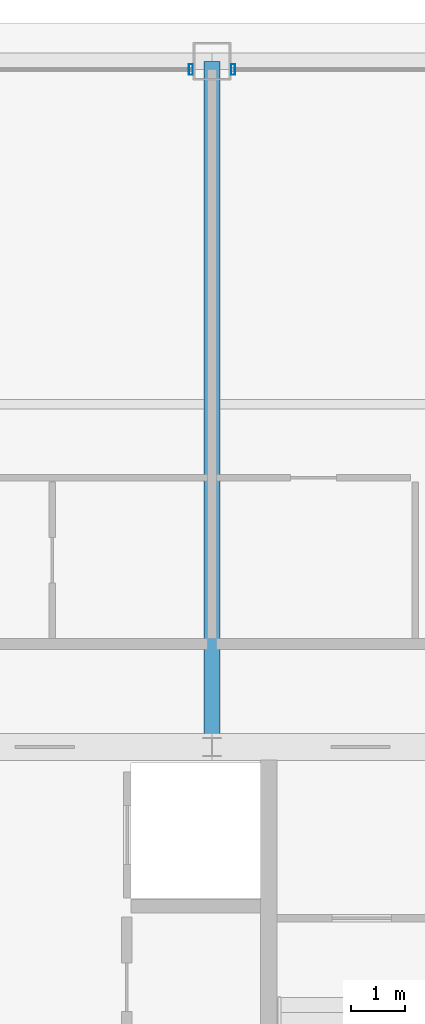
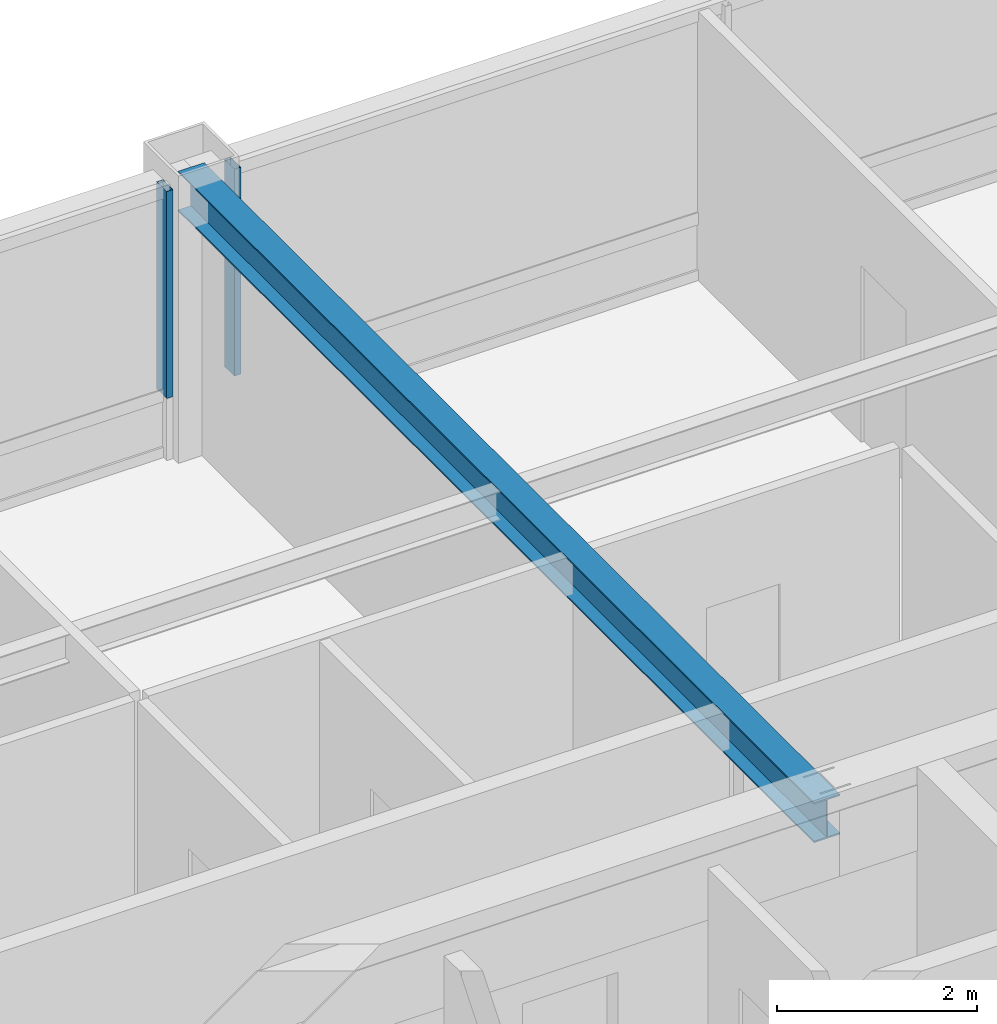
# One storey, part 17 of 35: 2 members, 1 beam, 2 elements without a shape of their own.
"""IFC4 building model written with IfcOpenShell, lengths in metres."""

import ifcopenshell
import ifcopenshell.guid

model = None  # the IFC model being written
_history = None  # IfcOwnerHistory: only IFC2X3 demands one
_inside = {}  # id of a spatial element -> (the spatial element, [elements in it])
_under = {}  # id of a project, library or spatial element -> (it, [spatial elements below it])
_declared = {}  # id of a project -> (the project, [libraries it declares])
_typed = {}  # id of a type object -> (the type object, [elements of that type])
_made_of = {}  # id of a material, layer set ... -> (it, [elements and type objects made of it])


def new_model(schema):
    """Start an empty IFC model of exactly this schema.

    Asked for "IFC4X3", IfcOpenShell would pick the latest addendum, in which some entities
    have other attributes; the version numbers below select the first issue.
    IFC2X3 requires an IfcOwnerHistory on every rooted entity: one is made here for all.
    """
    global model, _history
    if schema == "IFC4X3":
        model = ifcopenshell.file(schema_version=(4, 3, 0, 0))
    else:
        model = ifcopenshell.file(schema=schema)
    _inside.clear()
    _under.clear()
    _declared.clear()
    _typed.clear()
    _made_of.clear()
    _history = None
    if model.schema == "IFC2X3":
        org = make("IfcOrganization", Name="unknown")
        user = make(
            "IfcPersonAndOrganization",
            ThePerson=make("IfcPerson", FamilyName="unknown"),
            TheOrganization=org,
        )
        app = make(
            "IfcApplication",
            ApplicationDeveloper=org,
            Version="unknown",
            ApplicationFullName="unknown",
            ApplicationIdentifier="unknown",
        )
        _history = make(
            "IfcOwnerHistory",
            OwningUser=user,
            OwningApplication=app,
            ChangeAction="ADDED",
            CreationDate=0,
        )
    return model


def make(cls, **values):
    """One entity of the class cls with the attributes given. An attribute that is None is left unset."""
    return model.create_entity(
        cls, **{name: value for name, value in values.items() if value is not None}
    )


def rooted(cls, **values):
    """An entity with a GlobalId (a new one), such as an element, a storey or a relation."""
    return make(cls, GlobalId=ifcopenshell.guid.new(), OwnerHistory=_history, **values)


def si_unit(unit_type, name, prefix=None):
    """IfcSIUnit, for example si_unit("LENGTHUNIT", "METRE", prefix="MILLI")."""
    return make("IfcSIUnit", UnitType=unit_type, Prefix=prefix, Name=name)


def assignment(units):
    """IfcUnitAssignment: the units of a project."""
    return None if units is None else make("IfcUnitAssignment", Units=units)


def point(xyz):
    """IfcCartesianPoint."""
    return None if xyz is None else make("IfcCartesianPoint", Coordinates=xyz)


def direction(xyz):
    """IfcDirection."""
    return None if xyz is None else make("IfcDirection", DirectionRatios=xyz)


def frame(location, z_axis=None, x_axis=None):
    """IfcAxis2Placement3D, a coordinate frame: its origin and axes. An axis left out is left unset."""
    return make(
        "IfcAxis2Placement3D",
        Location=point(location),
        Axis=direction(z_axis),
        RefDirection=direction(x_axis),
    )


def frame_2d(location, x_axis=None):
    """IfcAxis2Placement2D, a coordinate frame in the plane: its origin and x axis."""
    return make(
        "IfcAxis2Placement2D", Location=point(location), RefDirection=direction(x_axis)
    )


def origin():
    """The frame at (0, 0, 0) with its axes left unset."""
    return frame((0.0, 0.0, 0.0))


def origin_2d():
    """The frame at (0, 0) in the plane with its x axis left unset."""
    return frame_2d((0.0, 0.0))


def place(relative_to, where):
    """IfcLocalPlacement: puts the frame where relative to a parent placement (None: the world)."""
    return make(
        "IfcLocalPlacement", PlacementRelTo=relative_to, RelativePlacement=where
    )


def context(
    kind, dimensions, precision=None, world=None, true_north=None, identifier=None
):
    """IfcGeometricRepresentationContext, for example the 3D "Model" context."""
    return make(
        "IfcGeometricRepresentationContext",
        ContextIdentifier=identifier,
        ContextType=kind,
        CoordinateSpaceDimension=dimensions,
        Precision=precision,
        WorldCoordinateSystem=world,
        TrueNorth=true_north,
    )


def subcontext(parent, identifier, kind, view, scale=None):
    """IfcGeometricRepresentationSubContext, for example "Body" below "Model"."""
    return make(
        "IfcGeometricRepresentationSubContext",
        ContextIdentifier=identifier,
        ContextType=kind,
        ParentContext=parent,
        TargetScale=scale,
        TargetView=view,
    )


def project(units=None, contexts=None):
    """IfcProject with its units and contexts."""
    return rooted(
        "IfcProject",
        Name="project",
        RepresentationContexts=contexts,
        UnitsInContext=assignment(units),
    )


def spatial(cls, under=None, at=None, **own):
    """A site, building, storey or space (cls), placed at a placement, below another one or the project."""
    s = rooted(cls, ObjectPlacement=at, **own)
    if under is not None:
        _under.setdefault(under.id(), (under, []))[1].append(s)
    return s


def profile(cls, at=None, kind="AREA", **sizes):
    """A parametric profile (cls). Its sizes go by their IFC names, for example OverallWidth=200.0."""
    return make(cls, ProfileType=kind, Position=at, **sizes)


def hollow_rectangle(**sizes):
    """IfcRectangleHollowProfileDef."""
    return profile("IfcRectangleHollowProfileDef", **sizes)


def i_section(**sizes):
    """IfcIShapeProfileDef."""
    return profile("IfcIShapeProfileDef", **sizes)


def extrude(swept, where, along, depth):
    """IfcExtrudedAreaSolid: the profile swept, set in the frame where, extruded along a direction by depth."""
    return make(
        "IfcExtrudedAreaSolid",
        SweptArea=swept,
        Position=where,
        ExtrudedDirection=direction(along),
        Depth=depth,
    )


def shape(context_of_items, identifier, shape_type, items):
    """IfcShapeRepresentation: the items that make up one representation, for example the "Body"."""
    return make(
        "IfcShapeRepresentation",
        ContextOfItems=context_of_items,
        RepresentationIdentifier=identifier,
        RepresentationType=shape_type,
        Items=items,
    )


def source(mapping_origin, context_of_items, identifier, shape_type, items):
    """IfcRepresentationMap: a shape defined once, which mapped items show again and again."""
    return make(
        "IfcRepresentationMap",
        MappingOrigin=mapping_origin,
        MappedRepresentation=shape(context_of_items, identifier, shape_type, items),
    )


def transform(
    local_origin,
    x_axis=None,
    y_axis=None,
    z_axis=None,
    scale=None,
    scale2=None,
    scale3=None,
    uniform=True,
):
    """IfcCartesianTransformationOperator3D, or its non-uniform kind. x_axis, y_axis, z_axis: its Axis1, 2, 3."""
    if uniform:
        return make(
            "IfcCartesianTransformationOperator3D",
            Axis1=direction(x_axis),
            Axis2=direction(y_axis),
            LocalOrigin=point(local_origin),
            Scale=scale,
            Axis3=direction(z_axis),
        )
    return make(
        "IfcCartesianTransformationOperator3DnonUniform",
        Axis1=direction(x_axis),
        Axis2=direction(y_axis),
        LocalOrigin=point(local_origin),
        Scale=scale,
        Axis3=direction(z_axis),
        Scale2=scale2,
        Scale3=scale3,
    )


def mapped(mapping_source, mapping_target):
    """IfcMappedItem: shows the shape of a source again, moved by a transform."""
    return make(
        "IfcMappedItem", MappingSource=mapping_source, MappingTarget=mapping_target
    )


def material(Name=None, Category=None):
    """IfcMaterial."""
    return make("IfcMaterial", Name=Name, Category=Category)


def layer(
    of_material, thickness, ventilated=None, Name=None, Category=None, Priority=None
):
    """IfcMaterialLayer: one layer of a wall or slab, of a material (None: an air gap)."""
    return make(
        "IfcMaterialLayer",
        Material=of_material,
        LayerThickness=thickness,
        IsVentilated=ventilated,
        Name=Name,
        Category=Category,
        Priority=Priority,
    )


def layer_set(layers, Name=None):
    """IfcMaterialLayerSet."""
    return make("IfcMaterialLayerSet", MaterialLayers=layers, LayerSetName=Name)


def material_profile(
    of_material, cross_section, Name=None, Category=None, Priority=None
):
    """IfcMaterialProfile: a cross section and its material."""
    return make(
        "IfcMaterialProfile",
        Name=Name,
        Material=of_material,
        Profile=cross_section,
        Priority=Priority,
        Category=Category,
    )


def profile_set(profiles, Name=None, composite=None):
    """IfcMaterialProfileSet."""
    return make(
        "IfcMaterialProfileSet",
        Name=Name,
        MaterialProfiles=profiles,
        CompositeProfile=composite,
    )


def made_of(thing, what):
    """Note that an element or type object is made of a material, layer set ...; save() writes the relation."""
    if what is not None:
        _made_of.setdefault(what.id(), (what, []))[1].append(thing)
    return thing


def type_object(cls, material=None, **own):
    """A type object (cls), such as IfcWallType, which elements share."""
    return made_of(rooted(cls, **own), material)


def element(
    cls,
    number,
    at=None,
    inside=None,
    cuts=None,
    type_object=None,
    material=None,
    context=None,
    identifier="Body",
    shape_type=None,
    held_by="IfcProductDefinitionShape",
    body=None,
    shapes=None,
    **own,
):
    """One element of the class cls, such as IfcWall. Its Tag is "e" and its number.

    at: its placement. inside: the storey or other place that contains it. cuts: it is an
    opening in that element (IfcRelVoidsElement). A single representation is given by context,
    identifier, shape_type and body (its items); several are given by shapes. held_by: the class
    of the entity that holds the representations. save() writes the other relations.
    """
    e = rooted(cls, Tag="e%d" % number, ObjectPlacement=at, **own)
    if body is not None:
        shapes = [shape(context, identifier, shape_type, body)]
    if shapes is not None:
        e.Representation = make(held_by, Representations=shapes)
    if inside is not None:
        _inside.setdefault(inside.id(), (inside, []))[1].append(e)
    if cuts is not None:
        rooted(
            "IfcRelVoidsElement", RelatingBuildingElement=cuts, RelatedOpeningElement=e
        )
    if type_object is not None:
        _typed.setdefault(type_object.id(), (type_object, []))[1].append(e)
    return made_of(e, material)


def aggregate(whole, parts):
    """IfcRelAggregates: a whole, such as a stair, and the parts it consists of."""
    return rooted("IfcRelAggregates", RelatingObject=whole, RelatedObjects=parts)


def save(model, path):
    """Write the relations noted so far, then the file.

    IfcRelAggregates (storeys below a building ...), IfcRelContainedInSpatialStructure (elements
    in a storey), IfcRelDefinesByType, IfcRelAssociatesMaterial and IfcRelDeclares: one each for
    every whole, place, type object, material and project.
    """
    for whole, parts in _under.values():
        aggregate(whole, parts)
    for where, things in _inside.values():
        rooted(
            "IfcRelContainedInSpatialStructure",
            RelatedElements=things,
            RelatingStructure=where,
        )
    for kind, things in _typed.values():
        rooted("IfcRelDefinesByType", RelatedObjects=things, RelatingType=kind)
    for what, things in _made_of.values():
        rooted("IfcRelAssociatesMaterial", RelatedObjects=things, RelatingMaterial=what)
    for by, libraries in _declared.values():
        rooted("IfcRelDeclares", RelatingContext=by, RelatedDefinitions=libraries)
    model.write(path)


model = new_model("IFC4")

# Units and contexts
model_context = context("Model", 3, precision=1e-05, world=origin(), true_north=direction((0.0, 1.0)))
body_context = subcontext(model_context, "Body", "Model", "MODEL_VIEW")
ifc_project = project(units=[si_unit("LENGTHUNIT", "METRE"), si_unit("AREAUNIT", "SQUARE_METRE"), si_unit("VOLUMEUNIT", "CUBIC_METRE"), si_unit("PLANEANGLEUNIT", "RADIAN"), si_unit("MASSUNIT", "GRAM", prefix="KILO"), si_unit("THERMODYNAMICTEMPERATUREUNIT", "KELVIN"), si_unit("POWERUNIT", "WATT")], contexts=[model_context])

# Site, building, storey
site_placement = place(None, origin())
site = spatial("IfcSite", under=ifc_project, at=site_placement, CompositionType="ELEMENT")
building_placement = place(site_placement, origin())
building = spatial("IfcBuilding", under=site, at=building_placement, Name="Yuzanri Waterfront Tower", CompositionType="ELEMENT")
storey_placement = place(building_placement, frame((0.0, 0.0, 314.699951171875)))
storey = spatial("IfcBuildingStorey", under=building, at=storey_placement, Name="L84", CompositionType="ELEMENT", Elevation=314.699951171875)

# Beam
ifc_material_1 = material(Name="Steel Q355B", Category="steel")
ifc_material_profile_1 = material_profile(ifc_material_1, i_section(OverallWidth=0.300048828125, OverallDepth=0.488037109375, WebThickness=0.010986328125, FlangeThickness=0.01806640625, at=origin_2d()), Name="HM 488x300x11x18")
ifc_profile_set_1 = profile_set([ifc_material_profile_1], Name="Steel Q355B")
beam_type = type_object("IfcBeamType", Name="Primary Floor Girder Q355B HM 488x300", PredefinedType="BEAM", material=ifc_profile_set_1)
shared_shape_1 = source(origin(), body_context, "Body", "SweptSolid", [
    extrude(i_section(OverallWidth=0.300048828125, OverallDepth=0.488037109375, WebThickness=0.010986328125, FlangeThickness=0.01806640625, at=origin_2d()), origin(), (0.0, 0.0, 1.0), 12.699951171875),
])
beam_placement = place(storey_placement, frame((37.0, 32.199951171875, 3.0361328125), z_axis=(0.0, 1.0, 0.0), x_axis=(-1.0, 0.0, 0.0)))
element("IfcBeam", 1, at=beam_placement, inside=storey, type_object=beam_type, Name="L84 North Grid Girder", PredefinedType="BEAM", context=body_context, shape_type="MappedRepresentation", body=[
    mapped(shared_shape_1, transform((0.0, 0.0, 0.0), scale=1.0)),
])

# Curtain wall, member
ifc_material_2 = material(Name="Anodized Architectural Bronze", Category="metal")
ifc_layer = layer(ifc_material_2, 0.159912109375)
ifc_layer_set = layer_set([ifc_layer], Name="Anodized Architectural Bronze")
curtain_wall_type = type_object("IfcCurtainWallType", Name="Anodized Bronze High-Rise Penthouse High-Wind Unitized Curtain Wall 6900", PredefinedType="NOTDEFINED", material=ifc_layer_set)
curtain_wall_1_placement = place(storey_placement, origin())
curtain_wall_1 = element("IfcCurtainWall", 2, at=curtain_wall_1_placement, inside=storey, type_object=curtain_wall_type, Name="L84 Curtain Wall CW-L84-NL", PredefinedType="NOTDEFINED")
ifc_material_3 = material(Name="Anodized Architectural Bronze", Category="metal")
ifc_material_profile_2 = material_profile(ifc_material_3, hollow_rectangle(XDim=0.074951171875, YDim=0.199951171875, WallThickness=0.00390625, at=origin_2d()), Name="CWM 75x200")
ifc_profile_set_2 = profile_set([ifc_material_profile_2], Name="Anodized Architectural Bronze")
member_type = type_object("IfcMemberType", Name="Anodized Bronze Primary Curtain-Wall Mullion 75x200", PredefinedType="MULLION", material=ifc_profile_set_2)
shared_shape_2 = source(origin(), body_context, "Body", "SweptSolid", [
    extrude(hollow_rectangle(XDim=0.074951171875, YDim=0.199951171875, WallThickness=0.00390625, at=origin_2d()), origin(), (0.0, 0.0, 1.0), 2.52392578125),
])
member_1_placement = place(storey_placement, frame((36.610107421875, 44.75, 0.756103515625), z_axis=(0.0, 0.0, 1.0), x_axis=(1.0, 0.0, 0.0)))
member_1 = element("IfcMember", 3, at=member_1_placement, type_object=member_type, Name="CW-L84-NL Upper Mullion 02", PredefinedType="MULLION", context=body_context, shape_type="MappedRepresentation", body=[
    mapped(shared_shape_2, transform((0.0, 0.0, 0.0), scale=1.0)),
])
aggregate(curtain_wall_1, [member_1])

curtain_wall_2_placement = place(storey_placement, origin())
curtain_wall_2 = element("IfcCurtainWall", 4, at=curtain_wall_2_placement, inside=storey, type_object=curtain_wall_type, Name="L84 Curtain Wall CW-L84-NR", PredefinedType="NOTDEFINED")
member_2_placement = place(storey_placement, frame((37.389892578125, 44.75, 0.756103515625), z_axis=(0.0, 0.0, 1.0), x_axis=(1.0, 0.0, 0.0)))
member_2 = element("IfcMember", 5, at=member_2_placement, type_object=member_type, Name="CW-L84-NR Upper Mullion 00", PredefinedType="MULLION", context=body_context, shape_type="MappedRepresentation", body=[
    mapped(shared_shape_2, transform((0.0, 0.0, 0.0), scale=1.0)),
])
aggregate(curtain_wall_2, [member_2])

save(model, "model.ifc")
